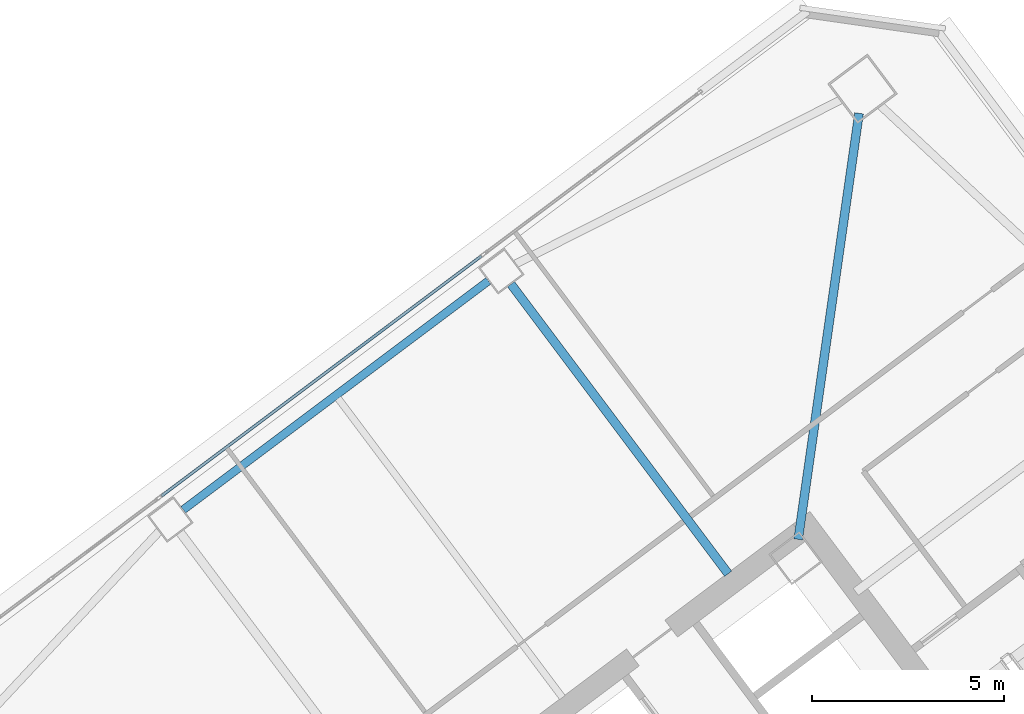
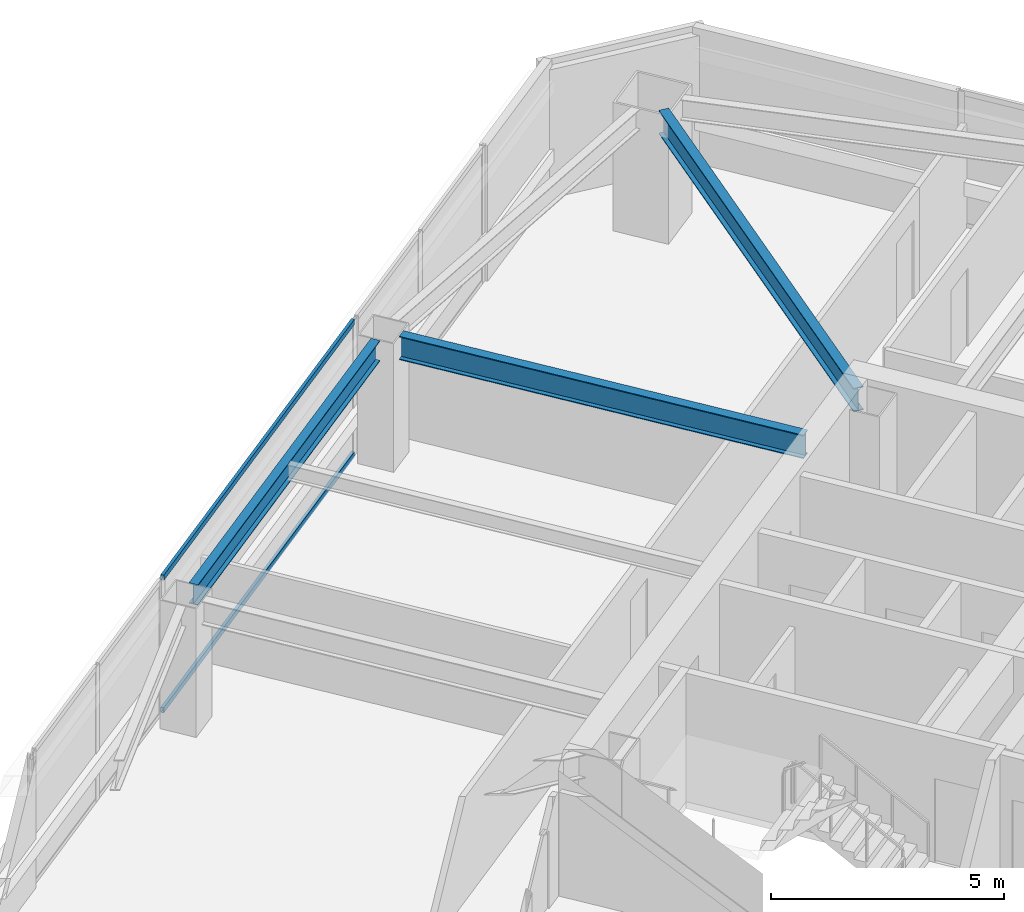
# One storey, part 28 of 44: 3 beams, 2 members, 1 element without a shape of its own.
"""IFC4 building model written with IfcOpenShell, lengths in metres."""

from ifc_helpers import new_model, si_unit, direction, frame, origin, origin_2d, place, context, subcontext, project, spatial, hollow_rectangle, i_section, extrude, material, material_profile, profile_set, type_object, element, aggregate, save


model = new_model("IFC4")

# Units and contexts
model_context = context("Model", 3, precision=1e-05, world=origin(), true_north=direction((0.0, 1.0)))
body_context = subcontext(model_context, "Body", "Model", "MODEL_VIEW")
ifc_project = project(units=[si_unit("LENGTHUNIT", "METRE"), si_unit("AREAUNIT", "SQUARE_METRE"), si_unit("VOLUMEUNIT", "CUBIC_METRE"), si_unit("PLANEANGLEUNIT", "RADIAN"), si_unit("MASSUNIT", "GRAM", prefix="KILO")], contexts=[model_context])

# Site, building, storey
site_placement = place(None, origin())
site = spatial("IfcSite", under=ifc_project, at=site_placement, CompositionType="ELEMENT")
building_placement = place(site_placement, origin())
building = spatial("IfcBuilding", under=site, at=building_placement, Name="Tashvorn Skyway Center", CompositionType="ELEMENT")
storey_placement = place(building_placement, frame((0.0, 0.0, 149.89990234375)))
storey = spatial("IfcBuildingStorey", under=building, at=storey_placement, Name="L40", CompositionType="ELEMENT", Elevation=149.89990234375)

# Beams
ifc_material_1 = material(Name="Steel ASTM A992 Grade 50", Category="steel")
ifc_material_profile_1 = material_profile(ifc_material_1, i_section(OverallWidth=0.22998046875, OverallDepth=0.616943359375, WebThickness=0.01318359375, FlangeThickness=0.022216796875, at=origin_2d()), Name="W24X94")
ifc_profile_set_1 = profile_set([ifc_material_profile_1], Name="Steel ASTM A992 Grade 50")
beam_type_1 = type_object("IfcBeamType", Name="BM-BEAM-W24X94", PredefinedType="BEAM", material=ifc_profile_set_1)
beam_1_placement = place(storey_placement, frame((117.06884765625, 53.4814453125, 3.0615234375), z_axis=(-0.141430483583, -0.989948189712, 0.0), x_axis=(0.989948189712, -0.141430483583, 0.0)))
element("IfcBeam", 1, at=beam_1_placement, inside=storey, type_object=beam_type_1, Name="Tower 2 L40 Primary Floor Girder MC-NE", PredefinedType="BEAM", context=body_context, shape_type="SweptSolid", body=[
    extrude(i_section(OverallWidth=0.22998046875, OverallDepth=0.616943359375, WebThickness=0.01318359375, FlangeThickness=0.022216796875, at=origin_2d()), origin(), (0.0, 0.0, 1.0), 11.234375),
])
beam_2_placement = place(storey_placement, frame((107.98193359375, 49.02392578125, 3.0615234375), z_axis=(0.600020667896, -0.799984498661, 0.0), x_axis=(0.799984498661, 0.600020667896, 0.0)))
element("IfcBeam", 2, at=beam_2_placement, inside=storey, type_object=beam_type_1, Name="Tower 2 L40 Primary Floor Girder FC-N1", PredefinedType="BEAM", context=body_context, shape_type="SweptSolid", body=[
    extrude(i_section(OverallWidth=0.22998046875, OverallDepth=0.616943359375, WebThickness=0.01318359375, FlangeThickness=0.022216796875, at=origin_2d()), origin(), (0.0, 0.0, 1.0), 9.449951171875),
])
ifc_material_profile_2 = material_profile(ifc_material_1, i_section(OverallWidth=0.2109375, OverallDepth=0.5390625, WebThickness=0.01171875, FlangeThickness=0.018798828125, at=origin_2d()), Name="W21X73")
ifc_profile_set_2 = profile_set([ifc_material_profile_2], Name="Steel ASTM A992 Grade 50")
beam_type_2 = type_object("IfcBeamType", Name="BM-SPANDREL-W21X73", PredefinedType="SPANDREL", material=ifc_profile_set_2)
beam_3_placement = place(storey_placement, frame((107.39404296875, 49.10791015625, 3.1005859375), z_axis=(-0.800008824351, -0.599988234018, 0.0), x_axis=(0.599988234018, -0.800008824351, 0.0)))
element("IfcBeam", 3, at=beam_3_placement, inside=storey, type_object=beam_type_2, Name="Tower 2 L40 Spandrel Beam 08", PredefinedType="SPANDREL", context=body_context, shape_type="SweptSolid", body=[
    extrude(i_section(OverallWidth=0.2109375, OverallDepth=0.5390625, WebThickness=0.01171875, FlangeThickness=0.018798828125, at=origin_2d()), origin(), (0.0, 0.0, 1.0), 9.9599609375),
])

# Curtain wall, members
ifc_material_2 = material(Name="Thermally broken bronze-anodized aluminium 6063-T6", Category="aluminium")
curtain_wall_type = type_object("IfcCurtainWallType", Name="CW-CW-Z3", PredefinedType="NOTDEFINED", material=ifc_material_2)
curtain_wall_placement = place(storey_placement, origin())
curtain_wall = element("IfcCurtainWall", 4, at=curtain_wall_placement, inside=storey, type_object=curtain_wall_type, Name="Tower 2 L40 North Unitised Curtain Wall Glazing Group 2", PredefinedType="NOTDEFINED")
ifc_material_profile_3 = material_profile(ifc_material_2, hollow_rectangle(XDim=0.074951171875, YDim=0.139892578125, WallThickness=0.004150390625, at=origin_2d()), Name="ALU-TRAN-75x140")
ifc_profile_set_3 = profile_set([ifc_material_profile_3], Name="Thermally broken bronze-anodized aluminium 6063-T6")
member_type = type_object("IfcMemberType", Name="CWT-CW-Z3", PredefinedType="USERDEFINED", material=ifc_profile_set_3)
member_1_placement = place(storey_placement, frame((98.857421875, 43.492919921875, 0.03759765625), z_axis=(0.800002807101, 0.599996257181, 0.0), x_axis=(-0.599996257181, 0.800002807101, 0.0)))
member_1 = element("IfcMember", 5, at=member_1_placement, type_object=member_type, Name="CW-Z3 transom 1.1", ObjectType="TRANSOM", PredefinedType="USERDEFINED", context=body_context, shape_type="SweptSolid", body=[
    extrude(hollow_rectangle(XDim=0.074951171875, YDim=0.139892578125, WallThickness=0.004150390625, at=origin_2d()), origin(), (0.0, 0.0, 1.0), 10.436767578125),
])
member_2_placement = place(storey_placement, frame((98.857421875, 43.492919921875, 3.5126953125), z_axis=(0.800002807101, 0.599996257181, 0.0), x_axis=(-0.599996257181, 0.800002807101, 0.0)))
member_2 = element("IfcMember", 6, at=member_2_placement, type_object=member_type, Name="CW-Z3 transom 1.2", ObjectType="TRANSOM", PredefinedType="USERDEFINED", context=body_context, shape_type="SweptSolid", body=[
    extrude(hollow_rectangle(XDim=0.074951171875, YDim=0.139892578125, WallThickness=0.004150390625, at=origin_2d()), origin(), (0.0, 0.0, 1.0), 10.436767578125),
])
aggregate(curtain_wall, [member_1, member_2])

save(model, "model.ifc")
